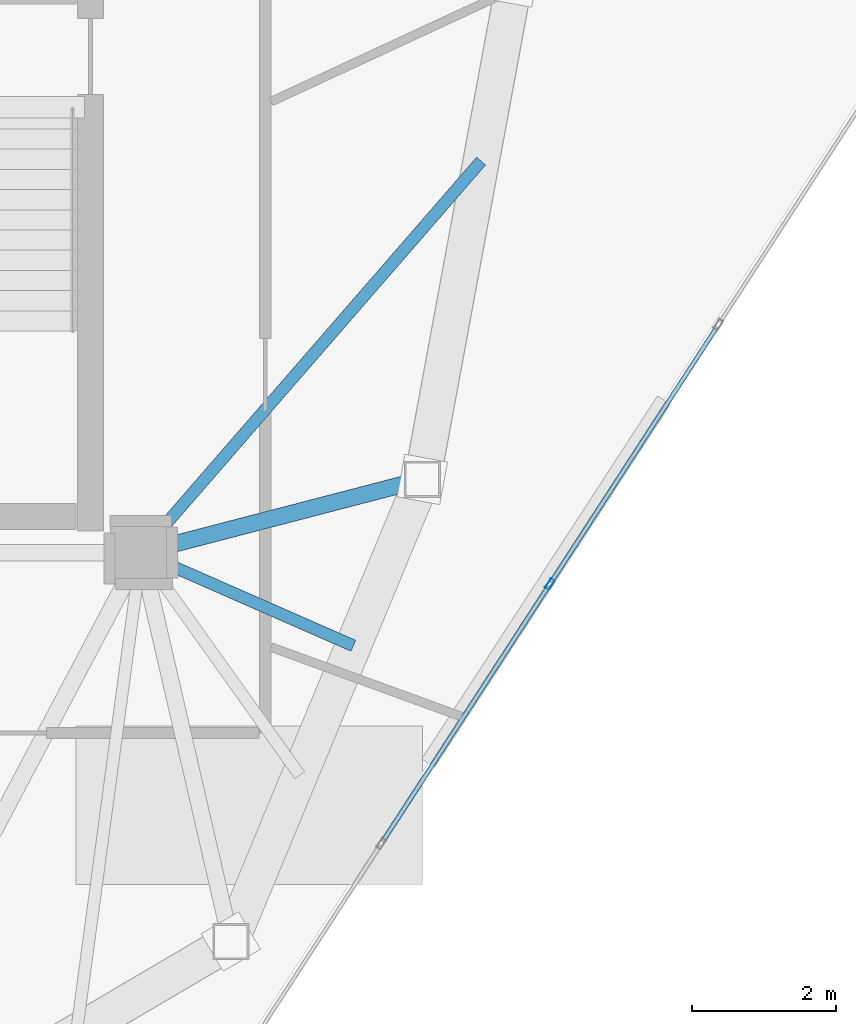
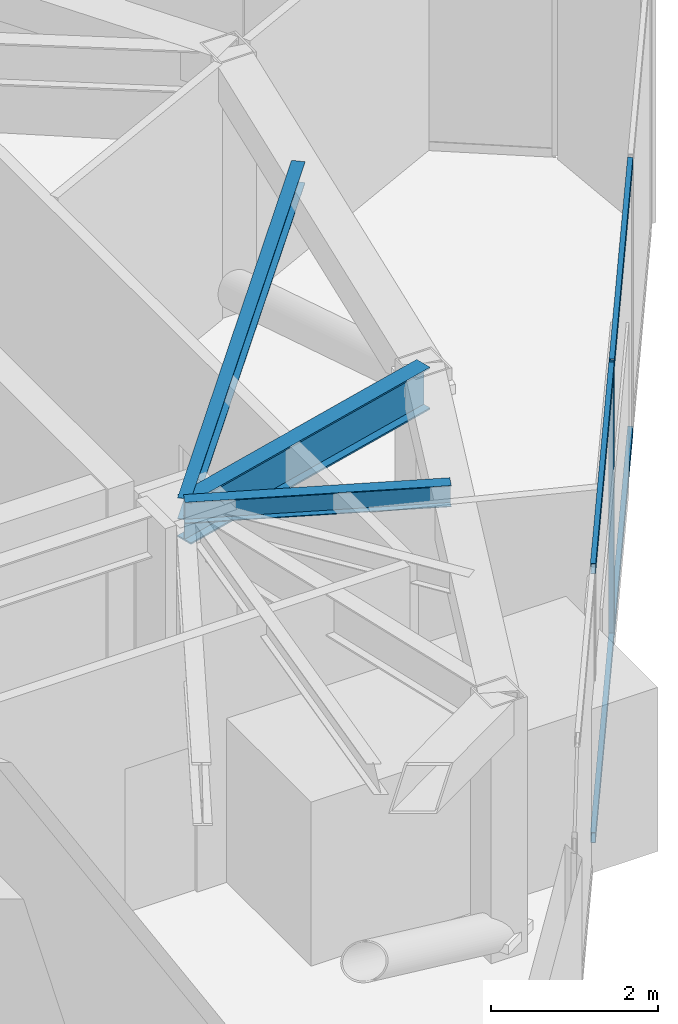
# One storey, part 8 of 21: 5 members, 3 beams, 1 element without a shape of its own.
"""IFC4 building model written with IfcOpenShell, lengths in metres."""

from ifc_helpers import new_model, si_unit, direction, frame, origin, origin_2d, place, context, subcontext, project, spatial, hollow_rectangle, i_section, extrude, source, transform, mapped, material, layer, layer_set, material_profile, profile_set, type_object, type_shapes, element, aggregate, save


model = new_model("IFC4")

# Units and contexts
model_context = context("Model", 3, precision=1e-05, world=origin(), true_north=direction((0.0, 1.0)))
body_context = subcontext(model_context, "Body", "Model", "MODEL_VIEW")
ifc_project = project(units=[si_unit("LENGTHUNIT", "METRE"), si_unit("AREAUNIT", "SQUARE_METRE"), si_unit("VOLUMEUNIT", "CUBIC_METRE"), si_unit("PLANEANGLEUNIT", "RADIAN"), si_unit("MASSUNIT", "GRAM", prefix="KILO")], contexts=[model_context])

# Site, building, storey
site_placement = place(None, origin())
site = spatial("IfcSite", under=ifc_project, at=site_placement, CompositionType="ELEMENT")
building_placement = place(site_placement, origin())
building = spatial("IfcBuilding", under=site, at=building_placement, Name="Talar Marvaseh", CompositionType="ELEMENT")
storey_placement = place(building_placement, frame((0.0, 0.0, 308.0)))
storey = spatial("IfcBuildingStorey", under=building, at=storey_placement, Name="L82", CompositionType="ELEMENT", Elevation=308.0)

# Beams
ifc_material_1 = material(Name="Steel S355", Category="steel")
ifc_material_profile_1 = material_profile(ifc_material_1, i_section(OverallWidth=0.166015625, OverallDepth=0.31298828125, WebThickness=0.006591796875, FlangeThickness=0.01123046875, at=origin_2d()), Name="W310x45")
ifc_profile_set_1 = profile_set([ifc_material_profile_1], Name="Steel S355")
beam_type_1 = type_object("IfcBeamType", Name="Zone 3 Secondary Floor Joist W310x45", PredefinedType="JOIST", material=ifc_profile_set_1)
beam_1_placement = place(storey_placement, frame((38.012451171875, 30.9248046875, 3.58349609375), z_axis=(-0.655796743858, -0.754937501218, 0.0), x_axis=(0.754937501218, -0.655796743858, 0.0)))
element("IfcBeam", 1, at=beam_1_placement, inside=storey, type_object=beam_type_1, Name="L82 Zone 3 Secondary Floor Joist W310x45", PredefinedType="JOIST", context=body_context, shape_type="SweptSolid", body=[
    extrude(i_section(OverallWidth=0.166015625, OverallDepth=0.31298828125, WebThickness=0.006591796875, FlangeThickness=0.01123046875, at=origin_2d()), origin(), (0.0, 0.0, 1.0), 7.185791015625),
])
beam_2_placement = place(storey_placement, frame((36.241943359375, 24.208984375, 3.58349609375), z_axis=(-0.915706783714, 0.401847093135, 0.0), x_axis=(-0.401847093135, -0.915706783714, 0.0)))
element("IfcBeam", 2, at=beam_2_placement, inside=storey, type_object=beam_type_1, Name="L82 Zone 3 Secondary Floor Joist W310x45", PredefinedType="JOIST", context=body_context, shape_type="SweptSolid", body=[
    extrude(i_section(OverallWidth=0.166015625, OverallDepth=0.31298828125, WebThickness=0.006591796875, FlangeThickness=0.01123046875, at=origin_2d()), origin(), (0.0, 0.0, 1.0), 3.212646484375),
])
ifc_material_profile_2 = material_profile(ifc_material_1, i_section(OverallWidth=0.22998046875, OverallDepth=0.616943359375, WebThickness=0.01318359375, FlangeThickness=0.022216796875, at=origin_2d()), Name="W610x140")
ifc_profile_set_2 = profile_set([ifc_material_profile_2], Name="Steel S355")
beam_type_2 = type_object("IfcBeamType", Name="Zone 4 Radial Floor Girder W610x140", PredefinedType="BEAM", material=ifc_profile_set_2)
beam_3_placement = place(storey_placement, frame((37.197021484375, 26.513916015625, 3.431396484375), z_axis=(-0.967779967746, -0.251797406719, 0.0), x_axis=(0.251797406719, -0.967779967746, 0.0)))
element("IfcBeam", 3, at=beam_3_placement, inside=storey, type_object=beam_type_2, Name="L82 Zone 4 Radial Floor Girder W610x140", PredefinedType="BEAM", context=body_context, shape_type="SweptSolid", body=[
    extrude(i_section(OverallWidth=0.22998046875, OverallDepth=0.616943359375, WebThickness=0.01318359375, FlangeThickness=0.022216796875, at=origin_2d()), origin(), (0.0, 0.0, 1.0), 4.026611328125),
])

# Curtain wall, members
ifc_material_2 = material(Name="Architectural Aluminium", Category="aluminium")
ifc_layer = layer(ifc_material_2, 0.2099609375)
ifc_layer_set = layer_set([ifc_layer], Name="Architectural Aluminium")
curtain_wall_type = type_object("IfcCurtainWallType", Name="Crown Plant Acoustic Spandrel Curtain Wall", PredefinedType="NOTDEFINED", material=ifc_layer_set)
curtain_wall_placement = place(storey_placement, origin())
curtain_wall = element("IfcCurtainWall", 4, at=curtain_wall_placement, inside=storey, type_object=curtain_wall_type, Name="L82 Crown Plant Acoustic Spandrel Curtain Wall", PredefinedType="NOTDEFINED")
ifc_material_profile_3 = material_profile(ifc_material_2, hollow_rectangle(XDim=0.06494140625, YDim=0.14990234375, WallThickness=0.00390625, at=origin_2d()), Name="RHS150x65x4")
ifc_profile_set_3 = profile_set([ifc_material_profile_3], Name="Architectural Aluminium")
member_type_1 = type_object("IfcMemberType", Name="Unitised Curtain Wall Slim Transom RHS150x65x4", PredefinedType="USERDEFINED", material=ifc_profile_set_3)
shared_shape_1 = source(origin(), body_context, "Body", "SweptSolid", [
    extrude(hollow_rectangle(XDim=0.06494140625, YDim=0.14990234375, WallThickness=0.00390625, at=origin_2d()), origin(), (0.0, 0.0, 1.0), 4.221435546875),
])
member_1_placement = place(storey_placement, frame((38.947265625, 25.035888671875, 0.032470703125), z_axis=(-0.544785055814, -0.838575722855, 0.0), x_axis=(0.838575722855, -0.544785055814, 0.0)))
member_1 = element("IfcMember", 5, at=member_1_placement, type_object=member_type_1, Name="CW-CRN transom 3.1", ObjectType="TRANSOM", PredefinedType="USERDEFINED", context=body_context, shape_type="MappedRepresentation", body=[
    mapped(shared_shape_1, transform((0.0, 0.0, 0.0), x_axis=(1.0, 0.0, 0.0), y_axis=(0.0, 1.0, 0.0), z_axis=(0.0, 0.0, 1.0), scale=1.0)),
])
member_2_placement = place(storey_placement, frame((38.947265625, 25.035888671875, 3.967529296875), z_axis=(-0.544785055814, -0.838575722855, 0.0), x_axis=(0.838575722855, -0.544785055814, 0.0)))
member_2 = element("IfcMember", 6, at=member_2_placement, type_object=member_type_1, Name="CW-CRN transom 3.2", ObjectType="TRANSOM", PredefinedType="USERDEFINED", context=body_context, shape_type="MappedRepresentation", body=[
    mapped(shared_shape_1, transform((0.0, 0.0, 0.0), x_axis=(1.0, 0.0, 0.0), y_axis=(0.0, 1.0, 0.0), z_axis=(0.0, 0.0, 1.0), scale=1.0)),
])
shared_shape_2 = source(origin(), body_context, "Body", "SweptSolid", [
    extrude(hollow_rectangle(XDim=0.06494140625, YDim=0.14990234375, WallThickness=0.00390625, at=origin_2d()), origin(), (0.0, 0.0, 1.0), 4.22119140625),
])
type_shapes(member_type_1, [shared_shape_1, shared_shape_2])
member_3_placement = place(storey_placement, frame((41.2822265625, 28.630126953125, 0.032470703125), z_axis=(-0.544770806573, -0.838584979776, 0.0), x_axis=(0.838584979776, -0.544770806573, 0.0)))
member_3 = element("IfcMember", 7, at=member_3_placement, type_object=member_type_1, Name="CW-CRN transom 2.1", ObjectType="TRANSOM", PredefinedType="USERDEFINED", context=body_context, shape_type="MappedRepresentation", body=[
    mapped(shared_shape_2, transform((0.0, 0.0, 0.0), x_axis=(1.0, 0.0, 0.0), y_axis=(0.0, 1.0, 0.0), z_axis=(0.0, 0.0, 1.0), scale=1.0)),
])
member_4_placement = place(storey_placement, frame((41.2822265625, 28.630126953125, 3.967529296875), z_axis=(-0.544770806573, -0.838584979776, 0.0), x_axis=(0.838584979776, -0.544770806573, 0.0)))
member_4 = element("IfcMember", 8, at=member_4_placement, type_object=member_type_1, Name="CW-CRN transom 2.2", ObjectType="TRANSOM", PredefinedType="USERDEFINED", context=body_context, shape_type="MappedRepresentation", body=[
    mapped(shared_shape_2, transform((0.0, 0.0, 0.0), x_axis=(1.0, 0.0, 0.0), y_axis=(0.0, 1.0, 0.0), z_axis=(0.0, 0.0, 1.0), scale=1.0)),
])
ifc_material_profile_4 = material_profile(ifc_material_2, hollow_rectangle(XDim=0.06494140625, YDim=0.14990234375, WallThickness=0.00390625, at=origin_2d()), Name="RHS150x65x4")
ifc_profile_set_4 = profile_set([ifc_material_profile_4], Name="Architectural Aluminium")
member_type_2 = type_object("IfcMemberType", Name="Unitised Curtain Wall Slim Mullion RHS150x65x4", PredefinedType="MULLION", material=ifc_profile_set_4)
shared_shape_3 = source(origin(), body_context, "Body", "SweptSolid", [
    extrude(hollow_rectangle(XDim=0.06494140625, YDim=0.14990234375, WallThickness=0.00390625, at=origin_2d()), origin(), (0.0, 0.0, 1.0), 4.0),
])
type_shapes(member_type_2, [shared_shape_3])
member_5_placement = place(storey_placement, frame((38.96484375, 25.06298828125, 0.0), z_axis=(0.0, 0.0, 1.0), x_axis=(0.838585906919, -0.544769379387, 0.0)))
member_5 = element("IfcMember", 9, at=member_5_placement, type_object=member_type_2, Name="CW-CRN mullion 3", PredefinedType="MULLION", context=body_context, shape_type="MappedRepresentation", body=[
    mapped(shared_shape_3, transform((0.0, 0.0, 0.0), x_axis=(1.0, 0.0, 0.0), y_axis=(0.0, 1.0, 0.0), z_axis=(0.0, 0.0, 1.0), scale=1.0)),
])
aggregate(curtain_wall, [member_5, member_3, member_4, member_1, member_2])

save(model, "model.ifc")
